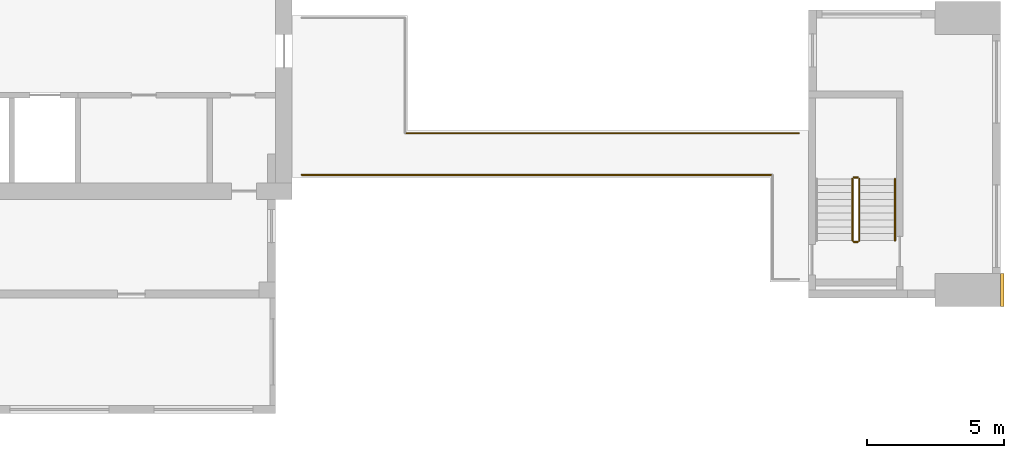
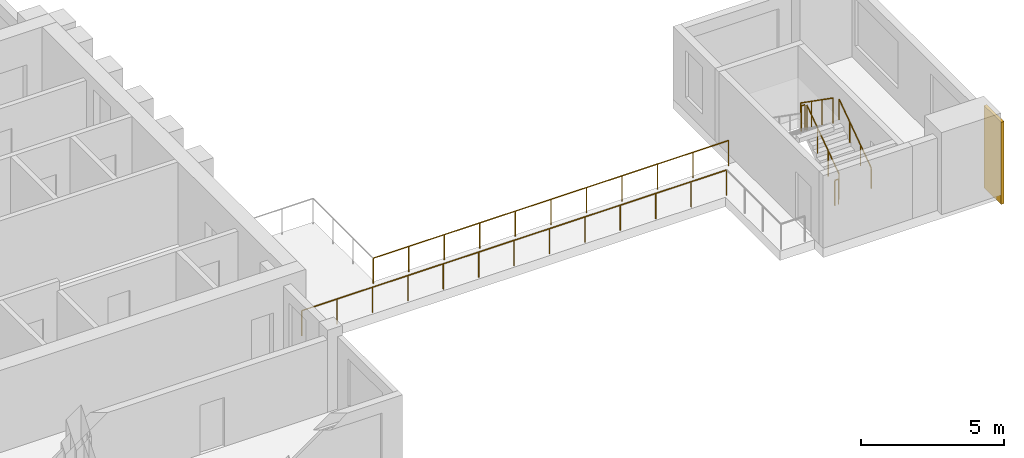
# One storey, part 8 of 9: 7 railings, 1 covering.
"""IFC4 building model written with IfcOpenShell, lengths in metres."""

from ifc_helpers import new_model, si_unit, direction, frame, origin, origin_2d, place, context, subcontext, project, spatial, rectangle, circle, extrude, source, transform, mapped, material, type_object, element, save


model = new_model("IFC4")

# Units and contexts
model_context = context("Model", 3, precision=1e-05, world=origin(), true_north=direction((0.0, 1.0)))
body_context = subcontext(model_context, "Body", "Model", "MODEL_VIEW")
ifc_project = project(units=[si_unit("LENGTHUNIT", "METRE"), si_unit("AREAUNIT", "SQUARE_METRE"), si_unit("VOLUMEUNIT", "CUBIC_METRE"), si_unit("PLANEANGLEUNIT", "RADIAN"), si_unit("MASSUNIT", "GRAM", prefix="KILO")], contexts=[model_context])

# Site, building, storey
site_placement = place(None, origin())
site = spatial("IfcSite", under=ifc_project, at=site_placement, CompositionType="ELEMENT")
building_placement = place(site_placement, origin())
building = spatial("IfcBuilding", under=site, at=building_placement, Name="Aurelian Terraces", CompositionType="ELEMENT")
storey_placement = place(building_placement, frame((0.0, 0.0, 333.5)))
storey = spatial("IfcBuildingStorey", under=building, at=storey_placement, Name="L78", CompositionType="ELEMENT", Elevation=333.5)

# Covering
ifc_material_1 = material(Name="Terracotta rainscreen cladding relief", Category="masonry")
covering_type = type_object("IfcCoveringType", Name="BAGUETTE-TC", PredefinedType="CLADDING", material=ifc_material_1)
covering_placement = place(storey_placement, frame((47.46, 0.3, -0.4), z_axis=(0.0, 0.0, 1.0), x_axis=(1.0, 0.0, 0.0)))
element("IfcCovering", 1, at=covering_placement, inside=storey, type_object=covering_type, Name="BAGUETTE pier L78 2", PredefinedType="CLADDING", context=body_context, shape_type="SweptSolid", body=[
    extrude(rectangle(XDim=0.12, YDim=1.2, at=origin_2d()), origin(), (0.0, 0.0, 1.0), 3.5),
])

# Railings
ifc_material_2 = material(Name="Anodised aluminium", Category="aluminium")
railing_type_1 = type_object("IfcRailingType", Name="GUARD-1100", PredefinedType="GUARDRAIL", material=ifc_material_2)
railing_1_placement = place(storey_placement, frame((39.09, 4.49, 0.0)))
element("IfcRailing", 2, at=railing_1_placement, inside=storey, type_object=railing_type_1, Name="Terrace guard L78 PORTAL-B78.3", PredefinedType="GUARDRAIL", context=body_context, shape_type="SweptSolid", body=[
    extrude(circle(Radius=0.024, at=origin_2d()), frame((0.0, 0.0, 1.076), z_axis=(-1.0, 0.0, 0.0), x_axis=(0.0, -1.0, 0.0)), (0.0, 0.0, 1.0), 17.14),
    extrude(circle(Radius=0.021, at=origin_2d()), origin(), (0.0, 0.0, 1.0), 1.052),
    extrude(circle(Radius=0.021, at=origin_2d()), frame((-1.4283, 0.0, 0.0)), (0.0, 0.0, 1.0), 1.052),
    extrude(circle(Radius=0.021, at=origin_2d()), frame((-2.8567, 0.0, 0.0)), (0.0, 0.0, 1.0), 1.052),
    extrude(circle(Radius=0.021, at=origin_2d()), frame((-4.285, 0.0, 0.0)), (0.0, 0.0, 1.0), 1.052),
    extrude(circle(Radius=0.021, at=origin_2d()), frame((-5.7133, 0.0, 0.0)), (0.0, 0.0, 1.0), 1.052),
    extrude(circle(Radius=0.021, at=origin_2d()), frame((-7.1417, 0.0, 0.0)), (0.0, 0.0, 1.0), 1.052),
    extrude(circle(Radius=0.021, at=origin_2d()), frame((-8.57, 0.0, 0.0)), (0.0, 0.0, 1.0), 1.052),
    extrude(circle(Radius=0.021, at=origin_2d()), frame((-9.9983, 0.0, 0.0)), (0.0, 0.0, 1.0), 1.052),
    extrude(circle(Radius=0.021, at=origin_2d()), frame((-11.4267, 0.0, 0.0)), (0.0, 0.0, 1.0), 1.052),
    extrude(circle(Radius=0.021, at=origin_2d()), frame((-12.855, 0.0, 0.0)), (0.0, 0.0, 1.0), 1.052),
    extrude(circle(Radius=0.021, at=origin_2d()), frame((-14.2833, 0.0, 0.0)), (0.0, 0.0, 1.0), 1.052),
    extrude(circle(Radius=0.021, at=origin_2d()), frame((-15.7117, 0.0, 0.0)), (0.0, 0.0, 1.0), 1.052),
    extrude(circle(Radius=0.021, at=origin_2d()), frame((-17.14, 0.0, 0.0)), (0.0, 0.0, 1.0), 1.052),
])
railing_2_placement = place(storey_placement, frame((25.71, 6.01, 0.0)))
element("IfcRailing", 3, at=railing_2_placement, inside=storey, type_object=railing_type_1, Name="Terrace guard L78 PORTAL-B78.6", PredefinedType="GUARDRAIL", context=body_context, shape_type="SweptSolid", body=[
    extrude(circle(Radius=0.024, at=origin_2d()), frame((0.0, 0.0, 1.076), z_axis=(1.0, 0.0, 0.0), x_axis=(0.0, 1.0, 0.0)), (0.0, 0.0, 1.0), 14.34),
    extrude(circle(Radius=0.021, at=origin_2d()), origin(), (0.0, 0.0, 1.0), 1.052),
    extrude(circle(Radius=0.021, at=origin_2d()), frame((1.434, 0.0, 0.0)), (0.0, 0.0, 1.0), 1.052),
    extrude(circle(Radius=0.021, at=origin_2d()), frame((2.868, 0.0, 0.0)), (0.0, 0.0, 1.0), 1.052),
    extrude(circle(Radius=0.021, at=origin_2d()), frame((4.302, 0.0, 0.0)), (0.0, 0.0, 1.0), 1.052),
    extrude(circle(Radius=0.021, at=origin_2d()), frame((5.736, 0.0, 0.0)), (0.0, 0.0, 1.0), 1.052),
    extrude(circle(Radius=0.021, at=origin_2d()), frame((7.17, 0.0, 0.0)), (0.0, 0.0, 1.0), 1.052),
    extrude(circle(Radius=0.021, at=origin_2d()), frame((8.604, 0.0, 0.0)), (0.0, 0.0, 1.0), 1.052),
    extrude(circle(Radius=0.021, at=origin_2d()), frame((10.038, 0.0, 0.0)), (0.0, 0.0, 1.0), 1.052),
    extrude(circle(Radius=0.021, at=origin_2d()), frame((11.472, 0.0, 0.0)), (0.0, 0.0, 1.0), 1.052),
    extrude(circle(Radius=0.021, at=origin_2d()), frame((12.906, 0.0, 0.0)), (0.0, 0.0, 1.0), 1.052),
    extrude(circle(Radius=0.021, at=origin_2d()), frame((14.34, 0.0, 0.0)), (0.0, 0.0, 1.0), 1.052),
])
ifc_material_3 = material(Name="Stainless steel", Category="steel")
railing_type_2 = type_object("IfcRailingType", Name="Stair guard 1100", PredefinedType="GUARDRAIL", material=ifc_material_3)
shared_shape_1 = source(origin(), body_context, "Body", "SweptSolid", [
    extrude(circle(Radius=0.024, at=origin_2d()), frame((0.0, 0.0, 1.076), z_axis=(-1.0, 0.0, 0.0), x_axis=(0.0, -1.0, 0.0)), (0.0, 0.0, 1.0), 0.15),
    extrude(circle(Radius=0.021, at=origin_2d()), origin(), (0.0, 0.0, 1.0), 1.052),
    extrude(circle(Radius=0.021, at=origin_2d()), frame((-0.15, 0.0, 0.0)), (0.0, 0.0, 1.0), 1.052),
])
for number, where, name in (
    (4, (42.2, 4.4, 1.75), "L78 S2 stair guard 2"),
    (5, (42.2, 2.05, 0.0), "L78 S2 stair guard 4"),
):
    element("IfcRailing", number, at=place(storey_placement, frame(where)), inside=storey, type_object=railing_type_2, Name=name, PredefinedType="GUARDRAIL", context=body_context, shape_type="MappedRepresentation", body=[
        mapped(shared_shape_1, transform((0.0, 0.0, 0.0), scale=1.0)),
    ])
shared_shape_2 = source(origin(), body_context, "Body", "SweptSolid", [
    extrude(circle(Radius=0.024, at=origin_2d()), frame((0.0, 0.0, 1.076), z_axis=(0.0, 0.819231920519, 0.573462344363), x_axis=(-1.0, 0.0, 0.0)), (0.0, 0.0, 1.0), 2.7465),
    extrude(circle(Radius=0.021, at=origin_2d()), origin(), (0.0, 0.0, 1.0), 1.052),
    extrude(circle(Radius=0.021, at=origin_2d()), frame((0.0, 0.75, 0.525)), (0.0, 0.0, 1.0), 1.052),
    extrude(circle(Radius=0.021, at=origin_2d()), frame((0.0, 1.5, 1.05)), (0.0, 0.0, 1.0), 1.052),
    extrude(circle(Radius=0.021, at=origin_2d()), frame((0.0, 2.25, 1.575)), (0.0, 0.0, 1.0), 1.052),
])
railing_3_placement = place(storey_placement, frame((42.25, 2.1, 0.175)))
element("IfcRailing", 6, at=railing_3_placement, inside=storey, type_object=railing_type_2, Name="L78 S2 stair guard 1", PredefinedType="GUARDRAIL", context=body_context, shape_type="MappedRepresentation", body=[
    mapped(shared_shape_2, transform((0.0, 0.0, 0.0), scale=1.0)),
])
shared_shape_3 = source(origin(), body_context, "Body", "SweptSolid", [
    extrude(circle(Radius=0.024, at=origin_2d()), frame((0.0, 0.0, 1.076), z_axis=(0.0, -0.819231920519, 0.573462344363), x_axis=(1.0, 0.0, 0.0)), (0.0, 0.0, 1.0), 2.7465),
    extrude(circle(Radius=0.021, at=origin_2d()), origin(), (0.0, 0.0, 1.0), 1.052),
    extrude(circle(Radius=0.021, at=origin_2d()), frame((0.0, -0.75, 0.525)), (0.0, 0.0, 1.0), 1.052),
    extrude(circle(Radius=0.021, at=origin_2d()), frame((0.0, -1.5, 1.05)), (0.0, 0.0, 1.0), 1.052),
    extrude(circle(Radius=0.021, at=origin_2d()), frame((0.0, -2.25, 1.575)), (0.0, 0.0, 1.0), 1.052),
])
railing_4_placement = place(storey_placement, frame((42.0, 4.35, 1.925)))
element("IfcRailing", 7, at=railing_4_placement, inside=storey, type_object=railing_type_2, Name="L78 S2 stair guard 3", PredefinedType="GUARDRAIL", context=body_context, shape_type="MappedRepresentation", body=[
    mapped(shared_shape_3, transform((0.0, 0.0, 0.0), scale=1.0)),
])
railing_type_3 = type_object("IfcRailingType", Name="Stair handrail", PredefinedType="HANDRAIL", material=ifc_material_3)
shared_shape_4 = source(origin(), body_context, "Body", "SweptSolid", [
    extrude(circle(Radius=0.024, at=origin_2d()), frame((0.0, 0.0, 0.876), z_axis=(0.0, 0.819231920519, 0.573462344363), x_axis=(-1.0, 0.0, 0.0)), (0.0, 0.0, 1.0), 2.7465),
    extrude(circle(Radius=0.021, at=origin_2d()), origin(), (0.0, 0.0, 1.0), 0.852),
    extrude(circle(Radius=0.021, at=origin_2d()), frame((0.0, 0.75, 0.525)), (0.0, 0.0, 1.0), 0.852),
    extrude(circle(Radius=0.021, at=origin_2d()), frame((0.0, 1.5, 1.05)), (0.0, 0.0, 1.0), 0.852),
    extrude(circle(Radius=0.021, at=origin_2d()), frame((0.0, 2.25, 1.575)), (0.0, 0.0, 1.0), 0.852),
])
railing_5_placement = place(storey_placement, frame((43.55, 2.1, 0.175)))
element("IfcRailing", 8, at=railing_5_placement, inside=storey, type_object=railing_type_3, Name="L78 S2 stair handrail 1", PredefinedType="HANDRAIL", context=body_context, shape_type="MappedRepresentation", body=[
    mapped(shared_shape_4, transform((0.0, 0.0, 0.0), scale=1.0)),
])

save(model, "model.ifc")
